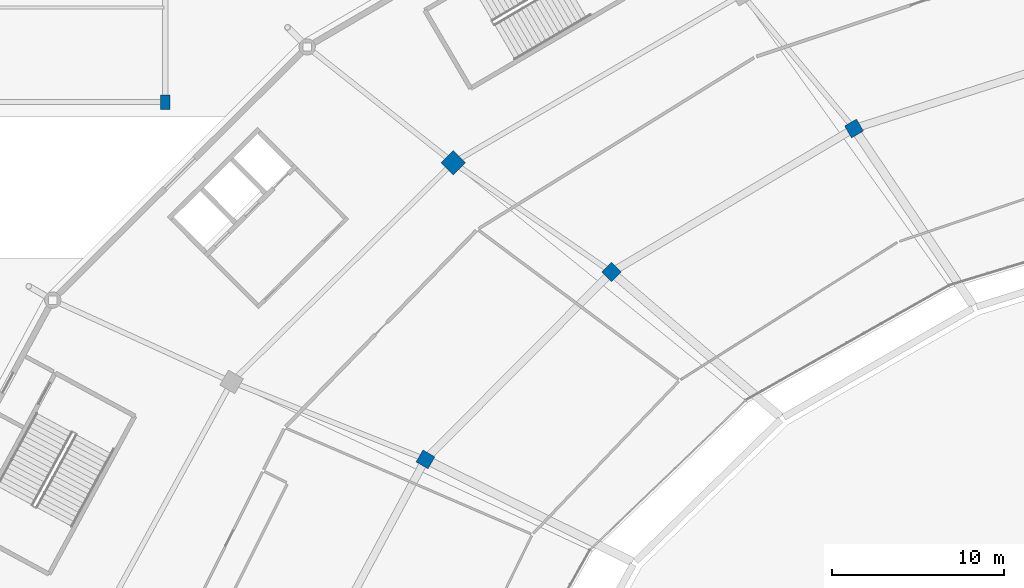
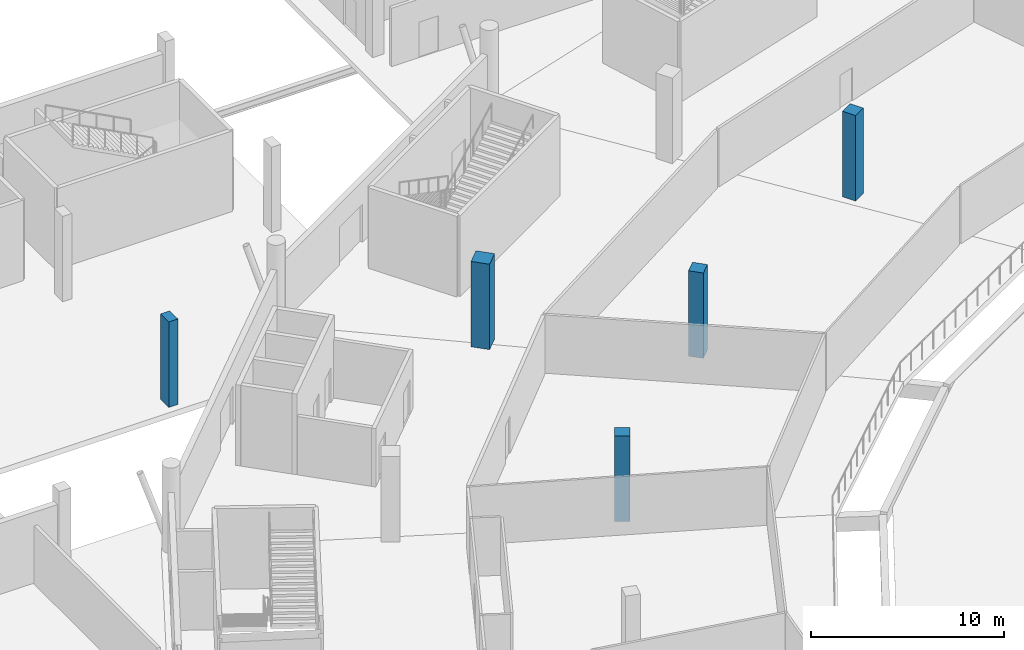
# One storey, part 10 of 82: 5 columns.
"""IFC4 building model written with IfcOpenShell, lengths in metres."""

from ifc_helpers import new_model, si_unit, direction, frame, origin, origin_2d, place, context, subcontext, project, spatial, rectangle, extrude, material, material_profile, profile_set, type_object, element, save


model = new_model("IFC4")

# Units and contexts
model_context = context("Model", 3, precision=1e-05, world=origin(), true_north=direction((0.0, 1.0)))
body_context = subcontext(model_context, "Body", "Model", "MODEL_VIEW")
ifc_project = project(units=[si_unit("LENGTHUNIT", "METRE"), si_unit("AREAUNIT", "SQUARE_METRE"), si_unit("VOLUMEUNIT", "CUBIC_METRE"), si_unit("PLANEANGLEUNIT", "RADIAN"), si_unit("MASSUNIT", "GRAM", prefix="KILO")], contexts=[model_context])

# Site, building, storey
site_placement = place(None, origin())
site = spatial("IfcSite", under=ifc_project, at=site_placement, CompositionType="ELEMENT")
building_placement = place(site_placement, origin())
building = spatial("IfcBuilding", under=site, at=building_placement, Name="Zlatoyarsky Gate Stadium", CompositionType="ELEMENT")
storey_placement = place(building_placement, origin())
storey = spatial("IfcBuildingStorey", under=building, at=storey_placement, Name="L00", CompositionType="ELEMENT", Elevation=0.0)

# Columns
ifc_material = material(Name="Concrete C40/50", Category="concrete")
ifc_material_profile_1 = material_profile(ifc_material, rectangle(XDim=1.0, YDim=1.0, at=origin_2d()), Name="RC COL 1000X1000")
ifc_profile_set_1 = profile_set([ifc_material_profile_1], Name="Concrete C40/50")
column_type_1 = type_object("IfcColumnType", Name="CONCRETE COLUMN 1000X1000", PredefinedType="COLUMN", material=ifc_profile_set_1)
column_1_placement = place(storey_placement, frame((53.724365234375, 123.487060546875, 0.0), z_axis=(0.0, 0.0, 1.0), x_axis=(-0.707106781187, 0.707106781187, 0.0)))
element("IfcColumn", 1, at=column_1_placement, inside=storey, type_object=column_type_1, Name="Column RC-C100 RB-09 on L00", PredefinedType="COLUMN", context=body_context, shape_type="SweptSolid", body=[
    extrude(rectangle(XDim=1.0, YDim=1.0, at=origin_2d()), origin(), (0.0, 0.0, 1.0), 5.39990234375),
])
ifc_material_profile_2 = material_profile(ifc_material, rectangle(XDim=0.800048828125, YDim=0.800048828125, at=origin_2d()), Name="RC COL 800X800")
ifc_profile_set_2 = profile_set([ifc_material_profile_2], Name="Concrete C40/50")
column_type_2 = type_object("IfcColumnType", Name="CONCRETE COLUMN 800X800", PredefinedType="COLUMN", material=ifc_profile_set_2)
for number, where, z_axis, x_axis, name in (
    (2, (77.0, 125.46630859375, 0.0), (0.0, 0.0, 1.0), (-0.5, 0.866025403784, 0.0), "Column RC-C80 RA-08 on L00"),
    (3, (62.916748046875, 117.123046875, 0.0), (0.0, 0.0, 1.0), (-0.707106781187, 0.707106781187, 0.0), "Column RC-C80 RA-09 on L00"),
    (4, (52.1103515625, 106.25, 0.0), (0.0, 0.0, 1.0), (-0.866025403784, 0.5, 0.0), "Column RC-C80 RA-10 on L00"),
):
    element("IfcColumn", number, at=place(storey_placement, frame(where, z_axis=z_axis, x_axis=x_axis)), inside=storey, type_object=column_type_2, Name=name, PredefinedType="COLUMN", context=body_context, shape_type="SweptSolid", body=[
        extrude(rectangle(XDim=0.800048828125, YDim=0.800048828125, at=origin_2d()), origin(), (0.0, 0.0, 1.0), 5.39990234375),
    ])
ifc_material_profile_3 = material_profile(ifc_material, rectangle(XDim=0.550048828125, YDim=0.85009765625, at=origin_2d()), Name="RC PILASTER 550X850")
ifc_profile_set_3 = profile_set([ifc_material_profile_3], Name="Concrete C40/50")
column_type_3 = type_object("IfcColumnType", Name="CONCRETE PORTAL PILASTER 550X850", PredefinedType="PILASTER", material=ifc_profile_set_3)
column_2_placement = place(storey_placement, frame((37.0, 127.0, 0.0), z_axis=(0.0, 0.0, 1.0), x_axis=(1.0, 0.0, 0.0)))
element("IfcColumn", 5, at=column_2_placement, inside=storey, type_object=column_type_3, Name="Column RC-PL85 WG-4-M on L00", PredefinedType="PILASTER", context=body_context, shape_type="SweptSolid", body=[
    extrude(rectangle(XDim=0.550048828125, YDim=0.85009765625, at=origin_2d()), origin(), (0.0, 0.0, 1.0), 5.39990234375),
])

save(model, "model.ifc")
